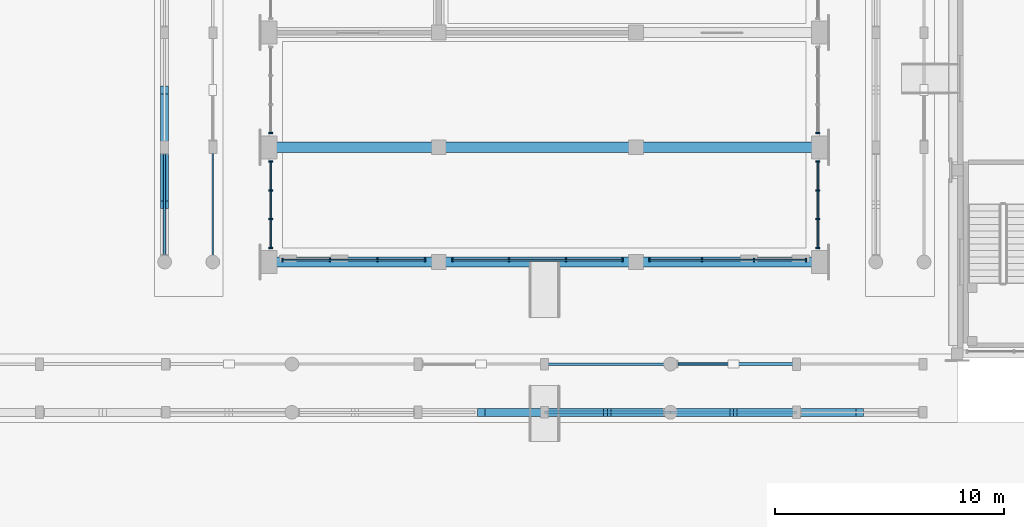
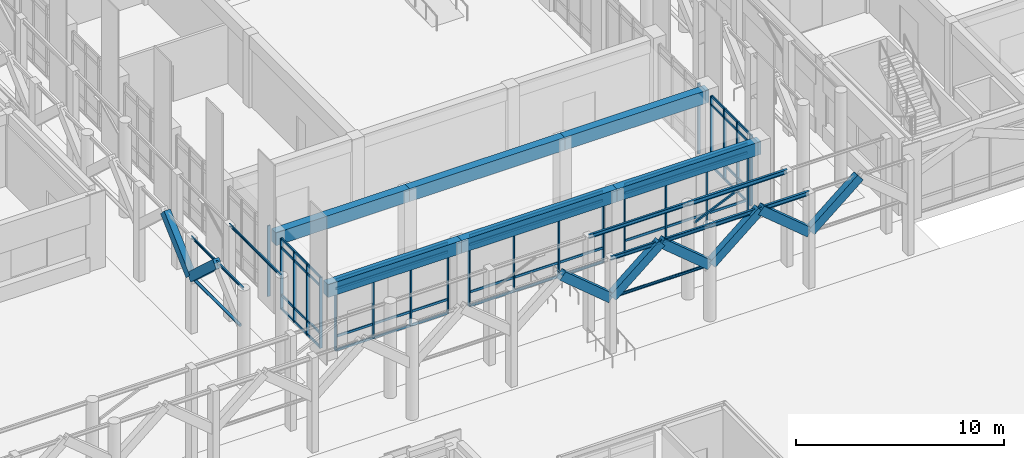
# One storey, part 27 of 135: 45 members, 20 beams, 7 elements without a shape of their own.
"""IFC4 building model written with IfcOpenShell, lengths in metres."""

from ifc_helpers import new_model, si_unit, direction, frame, origin, origin_2d, place, context, subcontext, project, spatial, rectangle, hollow_rectangle, hollow_circle, i_section, extrude, material, material_profile, profile_set, type_object, element, aggregate, save


model = new_model("IFC4")

# Units and contexts
model_context = context("Model", 3, precision=1e-05, world=origin(), true_north=direction((0.0, 1.0)))
body_context = subcontext(model_context, "Body", "Model", "MODEL_VIEW")
ifc_project = project(units=[si_unit("LENGTHUNIT", "METRE"), si_unit("AREAUNIT", "SQUARE_METRE"), si_unit("VOLUMEUNIT", "CUBIC_METRE"), si_unit("PLANEANGLEUNIT", "RADIAN"), si_unit("MASSUNIT", "GRAM", prefix="KILO")], contexts=[model_context])

# Site, building, storey
site_placement = place(None, origin())
site = spatial("IfcSite", under=ifc_project, at=site_placement, CompositionType="ELEMENT")
building_placement = place(site_placement, origin())
building = spatial("IfcBuilding", under=site, at=building_placement, Name="Kiranvali Square Residences", CompositionType="ELEMENT")
storey_placement = place(building_placement, origin())
storey = spatial("IfcBuildingStorey", under=building, at=storey_placement, Name="L00", CompositionType="ELEMENT", Elevation=0.0)

# Beams
ifc_material_1 = material(Name="Concrete M40 (40 MPa)", Category="concrete")
ifc_material_profile_1 = material_profile(ifc_material_1, rectangle(XDim=0.35009765625, YDim=0.5, at=origin_2d()), Name="RC 350x500")
ifc_profile_set_1 = profile_set([ifc_material_profile_1], Name="Concrete M40 (40 MPa)")
beam_type_1 = type_object("IfcBeamType", Name="AR-M40-350x500", PredefinedType="USERDEFINED", material=ifc_profile_set_1)
for number, where, z_axis, x_axis, name in (
    (1, (81.25, 37.449951171875, 5.4599609375), (0.767983039395, 0.0, -0.640470179791), (0.0, 1.0, 0.0), "Classical pointed Ottoman arch rib ARCH-ARC-GDN-S-08.2"),
    (2, (84.0400390625, 37.449951171875, 3.199951171875), (0.767983039395, 0.0, 0.640470179791), (0.0, 1.0, 0.0), "Classical pointed Ottoman arch rib ARCH-ARC-GDN-S-09.1"),
    (3, (86.75, 37.449951171875, 5.4599609375), (0.767983039395, 0.0, -0.640470179791), (0.0, 1.0, 0.0), "Classical pointed Ottoman arch rib ARCH-ARC-GDN-S-09.2"),
    (4, (89.5400390625, 37.449951171875, 3.199951171875), (0.767983039395, 0.0, 0.640470179791), (0.0, 1.0, 0.0), "Classical pointed Ottoman arch rib ARCH-ARC-GDN-S-10.1"),
    (5, (92.25, 37.449951171875, 5.4599609375), (0.767983039395, 0.0, -0.640470179791), (0.0, 1.0, 0.0), "Classical pointed Ottoman arch rib ARCH-ARC-GDN-S-10.2"),
    (6, (95.0400390625, 37.449951171875, 3.199951171875), (0.767983039395, 0.0, 0.640470179791), (0.0, 1.0, 0.0), "Classical pointed Ottoman arch rib ARCH-ARC-GDN-S-11.1"),
):
    element("IfcBeam", number, at=place(storey_placement, frame(where, z_axis=z_axis, x_axis=x_axis)), inside=storey, type_object=beam_type_1, Name=name, ObjectType="ARCH RIB", PredefinedType="USERDEFINED", context=body_context, shape_type="SweptSolid", body=[
        extrude(rectangle(XDim=0.35009765625, YDim=0.5, at=origin_2d()), origin(), (0.0, 0.0, 1.0), 3.528564453125),
    ])
for number, where, z_axis, x_axis, name in (
    (7, (67.449951171875, 46.5, 5.4599609375), (0.0, 0.736401324674, -0.676544964521), (-1.0, 0.0, 0.0), "Classical pointed Ottoman arch rib ARCH-ARC-GDN-W-01.2"),
    (8, (67.449951171875, 49.0400390625, 3.199951171875), (0.0, 0.736401324674, 0.676544964521), (-1.0, 0.0, 0.0), "Classical pointed Ottoman arch rib ARCH-ARC-GDN-W-02.1"),
):
    element("IfcBeam", number, at=place(storey_placement, frame(where, z_axis=z_axis, x_axis=x_axis)), inside=storey, type_object=beam_type_1, Name=name, ObjectType="ARCH RIB", PredefinedType="USERDEFINED", context=body_context, shape_type="SweptSolid", body=[
        extrude(rectangle(XDim=0.35009765625, YDim=0.5, at=origin_2d()), origin(), (0.0, 0.0, 1.0), 3.340576171875),
    ])
ifc_material_2 = material(Name="Concrete M45 (45 MPa)", Category="concrete")
ifc_material_profile_2 = material_profile(ifc_material_2, rectangle(XDim=0.449951171875, YDim=0.75, at=origin_2d()), Name="RC 450x750")
ifc_profile_set_2 = profile_set([ifc_material_profile_2], Name="Concrete M45 (45 MPa)")
beam_type_2 = type_object("IfcBeamType", Name="BM-M45-450x750", PredefinedType="BEAM", material=ifc_profile_set_2)
beam_1_placement = place(storey_placement, frame((72.0, 44.0, 3.875), z_axis=(1.0, 0.0, 0.0), x_axis=(0.0, 1.0, 0.0)))
element("IfcBeam", 9, at=beam_1_placement, inside=storey, type_object=beam_type_2, Name="L00 beam BM-CH-GAL-440-1", PredefinedType="BEAM", context=body_context, shape_type="SweptSolid", body=[
    extrude(rectangle(XDim=0.449951171875, YDim=0.75, at=origin_2d()), origin(), (0.0, 0.0, 1.0), 7.39990234375),
])
beam_2_placement = place(storey_placement, frame((79.39990234375, 44.0, 3.875), z_axis=(1.0, 0.0, 0.0), x_axis=(0.0, 1.0, 0.0)))
element("IfcBeam", 10, at=beam_2_placement, inside=storey, type_object=beam_type_2, Name="L00 beam BM-CH-GAL-440-2", PredefinedType="BEAM", context=body_context, shape_type="SweptSolid", body=[
    extrude(rectangle(XDim=0.449951171875, YDim=0.75, at=origin_2d()), origin(), (0.0, 0.0, 1.0), 8.60009765625),
])
beam_3_placement = place(storey_placement, frame((88.0, 44.0, 3.875), z_axis=(1.0, 0.0, 0.0), x_axis=(0.0, 1.0, 0.0)))
element("IfcBeam", 11, at=beam_3_placement, inside=storey, type_object=beam_type_2, Name="L00 beam BM-CH-GAL-440-3", PredefinedType="BEAM", context=body_context, shape_type="SweptSolid", body=[
    extrude(rectangle(XDim=0.449951171875, YDim=0.75, at=origin_2d()), origin(), (0.0, 0.0, 1.0), 8.0),
])
beam_4_placement = place(storey_placement, frame((72.0, 49.0, 3.875), z_axis=(1.0, 0.0, 0.0), x_axis=(0.0, 1.0, 0.0)))
element("IfcBeam", 12, at=beam_4_placement, inside=storey, type_object=beam_type_2, Name="L00 beam BM-CH-GAL-490-1", PredefinedType="BEAM", context=body_context, shape_type="SweptSolid", body=[
    extrude(rectangle(XDim=0.449951171875, YDim=0.75, at=origin_2d()), origin(), (0.0, 0.0, 1.0), 7.39990234375),
])
beam_5_placement = place(storey_placement, frame((79.39990234375, 49.0, 3.875), z_axis=(1.0, 0.0, 0.0), x_axis=(0.0, 1.0, 0.0)))
element("IfcBeam", 13, at=beam_5_placement, inside=storey, type_object=beam_type_2, Name="L00 beam BM-CH-GAL-490-2", PredefinedType="BEAM", context=body_context, shape_type="SweptSolid", body=[
    extrude(rectangle(XDim=0.449951171875, YDim=0.75, at=origin_2d()), origin(), (0.0, 0.0, 1.0), 8.60009765625),
])
beam_6_placement = place(storey_placement, frame((88.0, 49.0, 3.875), z_axis=(1.0, 0.0, 0.0), x_axis=(0.0, 1.0, 0.0)))
element("IfcBeam", 14, at=beam_6_placement, inside=storey, type_object=beam_type_2, Name="L00 beam BM-CH-GAL-490-3", PredefinedType="BEAM", context=body_context, shape_type="SweptSolid", body=[
    extrude(rectangle(XDim=0.449951171875, YDim=0.75, at=origin_2d()), origin(), (0.0, 0.0, 1.0), 8.0),
])

# Curtain wall, members
ifc_material_3 = material(Name="Anodised bronze aluminium framing", Category="aluminium")
curtain_wall_type = type_object("IfcCurtainWallType", Name="CW-CH-GLZ", PredefinedType="USERDEFINED", material=ifc_material_3)
curtain_wall_1_placement = place(storey_placement, origin())
curtain_wall_1 = element("IfcCurtainWall", 15, at=curtain_wall_1_placement, inside=storey, type_object=curtain_wall_type, Name="Community Hall L00 W glazed arcade bay 1", ObjectType="CURTAIN WALL", PredefinedType="USERDEFINED")
ifc_material_profile_3 = material_profile(ifc_material_3, rectangle(XDim=0.06494140625, YDim=0.159912109375, at=origin_2d()), Name="ALU 65x160")
ifc_profile_set_3 = profile_set([ifc_material_profile_3], Name="Anodised bronze aluminium framing")
member_type_1 = type_object("IfcMemberType", Name="CW-MUL-160", PredefinedType="MULLION", material=ifc_profile_set_3)
member_1_placement = place(storey_placement, frame((72.080078125, 44.6201171875, 0.02001953125), z_axis=(0.0, 0.0, 1.0), x_axis=(0.0, 1.0, 0.0)))
member_1 = element("IfcMember", 16, at=member_1_placement, type_object=member_type_1, Name="CW-CH-L00-W1 vertical mullion 1", PredefinedType="MULLION", context=body_context, shape_type="SweptSolid", body=[
    extrude(rectangle(XDim=0.06494140625, YDim=0.159912109375, at=origin_2d()), origin(), (0.0, 0.0, 1.0), 4.139892578125),
])
member_2_placement = place(storey_placement, frame((72.080078125, 45.873291015625, 0.02001953125), z_axis=(0.0, 0.0, 1.0), x_axis=(0.0, 1.0, 0.0)))
member_2 = element("IfcMember", 17, at=member_2_placement, type_object=member_type_1, Name="CW-CH-L00-W1 vertical mullion 2", PredefinedType="MULLION", context=body_context, shape_type="SweptSolid", body=[
    extrude(rectangle(XDim=0.06494140625, YDim=0.159912109375, at=origin_2d()), origin(), (0.0, 0.0, 1.0), 4.139892578125),
])
member_3_placement = place(storey_placement, frame((72.080078125, 47.126708984375, 0.02001953125), z_axis=(0.0, 0.0, 1.0), x_axis=(0.0, 1.0, 0.0)))
member_3 = element("IfcMember", 18, at=member_3_placement, type_object=member_type_1, Name="CW-CH-L00-W1 vertical mullion 3", PredefinedType="MULLION", context=body_context, shape_type="SweptSolid", body=[
    extrude(rectangle(XDim=0.06494140625, YDim=0.159912109375, at=origin_2d()), origin(), (0.0, 0.0, 1.0), 4.139892578125),
])
member_4_placement = place(storey_placement, frame((72.080078125, 48.3798828125, 0.02001953125), z_axis=(0.0, 0.0, 1.0), x_axis=(0.0, 1.0, 0.0)))
member_4 = element("IfcMember", 19, at=member_4_placement, type_object=member_type_1, Name="CW-CH-L00-W1 vertical mullion 4", PredefinedType="MULLION", context=body_context, shape_type="SweptSolid", body=[
    extrude(rectangle(XDim=0.06494140625, YDim=0.159912109375, at=origin_2d()), origin(), (0.0, 0.0, 1.0), 4.139892578125),
])

curtain_wall_2_placement = place(storey_placement, origin())
curtain_wall_2 = element("IfcCurtainWall", 20, at=curtain_wall_2_placement, inside=storey, type_object=curtain_wall_type, Name="Community Hall L00 E glazed arcade bay 1", ObjectType="CURTAIN WALL", PredefinedType="USERDEFINED")
member_5_placement = place(storey_placement, frame((95.919921875, 44.6201171875, 0.02001953125), z_axis=(0.0, 0.0, 1.0), x_axis=(0.0, 1.0, 0.0)))
member_5 = element("IfcMember", 21, at=member_5_placement, type_object=member_type_1, Name="CW-CH-L00-E1 vertical mullion 1", PredefinedType="MULLION", context=body_context, shape_type="SweptSolid", body=[
    extrude(rectangle(XDim=0.06494140625, YDim=0.159912109375, at=origin_2d()), origin(), (0.0, 0.0, 1.0), 4.139892578125),
])
member_6_placement = place(storey_placement, frame((95.919921875, 45.873291015625, 0.02001953125), z_axis=(0.0, 0.0, 1.0), x_axis=(0.0, 1.0, 0.0)))
member_6 = element("IfcMember", 22, at=member_6_placement, type_object=member_type_1, Name="CW-CH-L00-E1 vertical mullion 2", PredefinedType="MULLION", context=body_context, shape_type="SweptSolid", body=[
    extrude(rectangle(XDim=0.06494140625, YDim=0.159912109375, at=origin_2d()), origin(), (0.0, 0.0, 1.0), 4.139892578125),
])
member_7_placement = place(storey_placement, frame((95.919921875, 47.126708984375, 0.02001953125), z_axis=(0.0, 0.0, 1.0), x_axis=(0.0, 1.0, 0.0)))
member_7 = element("IfcMember", 23, at=member_7_placement, type_object=member_type_1, Name="CW-CH-L00-E1 vertical mullion 3", PredefinedType="MULLION", context=body_context, shape_type="SweptSolid", body=[
    extrude(rectangle(XDim=0.06494140625, YDim=0.159912109375, at=origin_2d()), origin(), (0.0, 0.0, 1.0), 4.139892578125),
])
member_8_placement = place(storey_placement, frame((95.919921875, 48.3798828125, 0.02001953125), z_axis=(0.0, 0.0, 1.0), x_axis=(0.0, 1.0, 0.0)))
member_8 = element("IfcMember", 24, at=member_8_placement, type_object=member_type_1, Name="CW-CH-L00-E1 vertical mullion 4", PredefinedType="MULLION", context=body_context, shape_type="SweptSolid", body=[
    extrude(rectangle(XDim=0.06494140625, YDim=0.159912109375, at=origin_2d()), origin(), (0.0, 0.0, 1.0), 4.139892578125),
])

# Curtain wall, member
curtain_wall_3_placement = place(storey_placement, origin())
curtain_wall_3 = element("IfcCurtainWall", 25, at=curtain_wall_3_placement, inside=storey, type_object=curtain_wall_type, Name="Community Hall L00 W glazed arcade bay 2", ObjectType="CURTAIN WALL", PredefinedType="USERDEFINED")
member_9_placement = place(storey_placement, frame((72.080078125, 49.6201171875, 0.02001953125), z_axis=(0.0, 0.0, 1.0), x_axis=(0.0, 1.0, 0.0)))
member_9 = element("IfcMember", 26, at=member_9_placement, type_object=member_type_1, Name="CW-CH-L00-W2 vertical mullion 1", PredefinedType="MULLION", context=body_context, shape_type="SweptSolid", body=[
    extrude(rectangle(XDim=0.06494140625, YDim=0.159912109375, at=origin_2d()), origin(), (0.0, 0.0, 1.0), 4.139892578125),
])
aggregate(curtain_wall_3, [member_9])

curtain_wall_4_placement = place(storey_placement, origin())
curtain_wall_4 = element("IfcCurtainWall", 27, at=curtain_wall_4_placement, inside=storey, type_object=curtain_wall_type, Name="Community Hall L00 E glazed arcade bay 2", ObjectType="CURTAIN WALL", PredefinedType="USERDEFINED")
member_10_placement = place(storey_placement, frame((95.919921875, 49.6201171875, 0.02001953125), z_axis=(0.0, 0.0, 1.0), x_axis=(0.0, 1.0, 0.0)))
member_10 = element("IfcMember", 28, at=member_10_placement, type_object=member_type_1, Name="CW-CH-L00-E2 vertical mullion 1", PredefinedType="MULLION", context=body_context, shape_type="SweptSolid", body=[
    extrude(rectangle(XDim=0.06494140625, YDim=0.159912109375, at=origin_2d()), origin(), (0.0, 0.0, 1.0), 4.139892578125),
])
aggregate(curtain_wall_4, [member_10])

# Curtain wall, members
curtain_wall_5_placement = place(storey_placement, origin())
curtain_wall_5 = element("IfcCurtainWall", 29, at=curtain_wall_5_placement, inside=storey, type_object=curtain_wall_type, Name="Community Hall S entrance portal bay 1", ObjectType="CURTAIN WALL", PredefinedType="USERDEFINED")
member_11_placement = place(storey_placement, frame((72.590087890625, 44.080078125, 0.02001953125), z_axis=(0.0, 0.0, 1.0), x_axis=(1.0, 0.0, 0.0)))
member_11 = element("IfcMember", 30, at=member_11_placement, type_object=member_type_1, Name="CW-CH-GAB-S0-1 vertical mullion 1", PredefinedType="MULLION", context=body_context, shape_type="SweptSolid", body=[
    extrude(rectangle(XDim=0.06494140625, YDim=0.159912109375, at=origin_2d()), origin(), (0.0, 0.0, 1.0), 4.139892578125),
])
member_12_placement = place(storey_placement, frame((74.663330078125, 44.080078125, 0.02001953125), z_axis=(0.0, 0.0, 1.0), x_axis=(1.0, 0.0, 0.0)))
member_12 = element("IfcMember", 31, at=member_12_placement, type_object=member_type_1, Name="CW-CH-GAB-S0-1 vertical mullion 2", PredefinedType="MULLION", context=body_context, shape_type="SweptSolid", body=[
    extrude(rectangle(XDim=0.06494140625, YDim=0.159912109375, at=origin_2d()), origin(), (0.0, 0.0, 1.0), 4.139892578125),
])
member_13_placement = place(storey_placement, frame((76.736572265625, 44.080078125, 0.02001953125), z_axis=(0.0, 0.0, 1.0), x_axis=(1.0, 0.0, 0.0)))
member_13 = element("IfcMember", 32, at=member_13_placement, type_object=member_type_1, Name="CW-CH-GAB-S0-1 vertical mullion 3", PredefinedType="MULLION", context=body_context, shape_type="SweptSolid", body=[
    extrude(rectangle(XDim=0.06494140625, YDim=0.159912109375, at=origin_2d()), origin(), (0.0, 0.0, 1.0), 4.139892578125),
])
member_14_placement = place(storey_placement, frame((78.81005859375, 44.080078125, 0.02001953125), z_axis=(0.0, 0.0, 1.0), x_axis=(1.0, 0.0, 0.0)))
member_14 = element("IfcMember", 33, at=member_14_placement, type_object=member_type_1, Name="CW-CH-GAB-S0-1 vertical mullion 4", PredefinedType="MULLION", context=body_context, shape_type="SweptSolid", body=[
    extrude(rectangle(XDim=0.06494140625, YDim=0.159912109375, at=origin_2d()), origin(), (0.0, 0.0, 1.0), 4.139892578125),
])

curtain_wall_6_placement = place(storey_placement, origin())
curtain_wall_6 = element("IfcCurtainWall", 34, at=curtain_wall_6_placement, inside=storey, type_object=curtain_wall_type, Name="Community Hall S entrance portal bay 2", ObjectType="CURTAIN WALL", PredefinedType="USERDEFINED")
member_15_placement = place(storey_placement, frame((79.989990234375, 44.080078125, 0.02001953125), z_axis=(0.0, 0.0, 1.0), x_axis=(1.0, 0.0, 0.0)))
member_15 = element("IfcMember", 35, at=member_15_placement, type_object=member_type_1, Name="CW-CH-GAB-S0-2 vertical mullion 1", PredefinedType="MULLION", context=body_context, shape_type="SweptSolid", body=[
    extrude(rectangle(XDim=0.06494140625, YDim=0.159912109375, at=origin_2d()), origin(), (0.0, 0.0, 1.0), 4.139892578125),
])
member_16_placement = place(storey_placement, frame((82.46337890625, 44.080078125, 0.02001953125), z_axis=(0.0, 0.0, 1.0), x_axis=(1.0, 0.0, 0.0)))
member_16 = element("IfcMember", 36, at=member_16_placement, type_object=member_type_1, Name="CW-CH-GAB-S0-2 vertical mullion 2", PredefinedType="MULLION", context=body_context, shape_type="SweptSolid", body=[
    extrude(rectangle(XDim=0.06494140625, YDim=0.159912109375, at=origin_2d()), origin(), (0.0, 0.0, 1.0), 4.139892578125),
])
member_17_placement = place(storey_placement, frame((84.936767578125, 44.080078125, 0.02001953125), z_axis=(0.0, 0.0, 1.0), x_axis=(1.0, 0.0, 0.0)))
member_17 = element("IfcMember", 37, at=member_17_placement, type_object=member_type_1, Name="CW-CH-GAB-S0-2 vertical mullion 3", PredefinedType="MULLION", context=body_context, shape_type="SweptSolid", body=[
    extrude(rectangle(XDim=0.06494140625, YDim=0.159912109375, at=origin_2d()), origin(), (0.0, 0.0, 1.0), 4.139892578125),
])
member_18_placement = place(storey_placement, frame((87.409912109375, 44.080078125, 0.02001953125), z_axis=(0.0, 0.0, 1.0), x_axis=(1.0, 0.0, 0.0)))
member_18 = element("IfcMember", 38, at=member_18_placement, type_object=member_type_1, Name="CW-CH-GAB-S0-2 vertical mullion 4", PredefinedType="MULLION", context=body_context, shape_type="SweptSolid", body=[
    extrude(rectangle(XDim=0.06494140625, YDim=0.159912109375, at=origin_2d()), origin(), (0.0, 0.0, 1.0), 4.139892578125),
])

curtain_wall_7_placement = place(storey_placement, origin())
curtain_wall_7 = element("IfcCurtainWall", 39, at=curtain_wall_7_placement, inside=storey, type_object=curtain_wall_type, Name="Community Hall S entrance portal bay 3", ObjectType="CURTAIN WALL", PredefinedType="USERDEFINED")
member_19_placement = place(storey_placement, frame((88.590087890625, 44.080078125, 0.02001953125), z_axis=(0.0, 0.0, 1.0), x_axis=(1.0, 0.0, 0.0)))
member_19 = element("IfcMember", 40, at=member_19_placement, type_object=member_type_1, Name="CW-CH-GAB-S0-3 vertical mullion 1", PredefinedType="MULLION", context=body_context, shape_type="SweptSolid", body=[
    extrude(rectangle(XDim=0.06494140625, YDim=0.159912109375, at=origin_2d()), origin(), (0.0, 0.0, 1.0), 4.139892578125),
])
member_20_placement = place(storey_placement, frame((90.86328125, 44.080078125, 0.02001953125), z_axis=(0.0, 0.0, 1.0), x_axis=(1.0, 0.0, 0.0)))
member_20 = element("IfcMember", 41, at=member_20_placement, type_object=member_type_1, Name="CW-CH-GAB-S0-3 vertical mullion 2", PredefinedType="MULLION", context=body_context, shape_type="SweptSolid", body=[
    extrude(rectangle(XDim=0.06494140625, YDim=0.159912109375, at=origin_2d()), origin(), (0.0, 0.0, 1.0), 4.139892578125),
])
member_21_placement = place(storey_placement, frame((93.13671875, 44.080078125, 0.02001953125), z_axis=(0.0, 0.0, 1.0), x_axis=(1.0, 0.0, 0.0)))
member_21 = element("IfcMember", 42, at=member_21_placement, type_object=member_type_1, Name="CW-CH-GAB-S0-3 vertical mullion 3", PredefinedType="MULLION", context=body_context, shape_type="SweptSolid", body=[
    extrude(rectangle(XDim=0.06494140625, YDim=0.159912109375, at=origin_2d()), origin(), (0.0, 0.0, 1.0), 4.139892578125),
])
member_22_placement = place(storey_placement, frame((95.409912109375, 44.080078125, 0.02001953125), z_axis=(0.0, 0.0, 1.0), x_axis=(1.0, 0.0, 0.0)))
member_22 = element("IfcMember", 43, at=member_22_placement, type_object=member_type_1, Name="CW-CH-GAB-S0-3 vertical mullion 4", PredefinedType="MULLION", context=body_context, shape_type="SweptSolid", body=[
    extrude(rectangle(XDim=0.06494140625, YDim=0.159912109375, at=origin_2d()), origin(), (0.0, 0.0, 1.0), 4.139892578125),
])

# Member
ifc_material_profile_4 = material_profile(ifc_material_3, rectangle(XDim=0.06494140625, YDim=0.139892578125, at=origin_2d()), Name="ALU 65x140")
ifc_profile_set_4 = profile_set([ifc_material_profile_4], Name="Anodised bronze aluminium framing")
member_type_2 = type_object("IfcMemberType", Name="CW-TRN-140", PredefinedType="MULLION", material=ifc_profile_set_4)
member_23_placement = place(storey_placement, frame((72.080078125, 44.6298828125, 0.0400390625), z_axis=(0.0, 1.0, 0.0), x_axis=(-1.0, 0.0, 0.0)))
member_23 = element("IfcMember", 44, at=member_23_placement, type_object=member_type_2, Name="CW-CH-L00-W1 horizontal transom 1", PredefinedType="MULLION", context=body_context, shape_type="SweptSolid", body=[
    extrude(rectangle(XDim=0.06494140625, YDim=0.139892578125, at=origin_2d()), origin(), (0.0, 0.0, 1.0), 3.740234375),
])

member_24_placement = place(storey_placement, frame((72.080078125, 44.6298828125, 0.85009765625), z_axis=(0.0, 1.0, 0.0), x_axis=(-1.0, 0.0, 0.0)))
member_24 = element("IfcMember", 45, at=member_24_placement, type_object=member_type_2, Name="CW-CH-L00-W1 horizontal transom 2", PredefinedType="MULLION", context=body_context, shape_type="SweptSolid", body=[
    extrude(rectangle(XDim=0.06494140625, YDim=0.139892578125, at=origin_2d()), origin(), (0.0, 0.0, 1.0), 3.740234375),
])

member_25_placement = place(storey_placement, frame((72.080078125, 44.6298828125, 3.6298828125), z_axis=(0.0, 1.0, 0.0), x_axis=(-1.0, 0.0, 0.0)))
member_25 = element("IfcMember", 46, at=member_25_placement, type_object=member_type_2, Name="CW-CH-L00-W1 horizontal transom 3", PredefinedType="MULLION", context=body_context, shape_type="SweptSolid", body=[
    extrude(rectangle(XDim=0.06494140625, YDim=0.139892578125, at=origin_2d()), origin(), (0.0, 0.0, 1.0), 3.740234375),
])

member_26_placement = place(storey_placement, frame((72.080078125, 44.6298828125, 4.139892578125), z_axis=(0.0, 1.0, 0.0), x_axis=(-1.0, 0.0, 0.0)))
member_26 = element("IfcMember", 47, at=member_26_placement, type_object=member_type_2, Name="CW-CH-L00-W1 horizontal transom 4", PredefinedType="MULLION", context=body_context, shape_type="SweptSolid", body=[
    extrude(rectangle(XDim=0.06494140625, YDim=0.139892578125, at=origin_2d()), origin(), (0.0, 0.0, 1.0), 3.740234375),
])

aggregate(curtain_wall_1, [member_1, member_2, member_3, member_4, member_23, member_24, member_25, member_26])

member_27_placement = place(storey_placement, frame((95.919921875, 44.6298828125, 0.0400390625), z_axis=(0.0, 1.0, 0.0), x_axis=(-1.0, 0.0, 0.0)))
member_27 = element("IfcMember", 48, at=member_27_placement, type_object=member_type_2, Name="CW-CH-L00-E1 horizontal transom 1", PredefinedType="MULLION", context=body_context, shape_type="SweptSolid", body=[
    extrude(rectangle(XDim=0.06494140625, YDim=0.139892578125, at=origin_2d()), origin(), (0.0, 0.0, 1.0), 3.740234375),
])

member_28_placement = place(storey_placement, frame((95.919921875, 44.6298828125, 0.85009765625), z_axis=(0.0, 1.0, 0.0), x_axis=(-1.0, 0.0, 0.0)))
member_28 = element("IfcMember", 49, at=member_28_placement, type_object=member_type_2, Name="CW-CH-L00-E1 horizontal transom 2", PredefinedType="MULLION", context=body_context, shape_type="SweptSolid", body=[
    extrude(rectangle(XDim=0.06494140625, YDim=0.139892578125, at=origin_2d()), origin(), (0.0, 0.0, 1.0), 3.740234375),
])

member_29_placement = place(storey_placement, frame((95.919921875, 44.6298828125, 3.6298828125), z_axis=(0.0, 1.0, 0.0), x_axis=(-1.0, 0.0, 0.0)))
member_29 = element("IfcMember", 50, at=member_29_placement, type_object=member_type_2, Name="CW-CH-L00-E1 horizontal transom 3", PredefinedType="MULLION", context=body_context, shape_type="SweptSolid", body=[
    extrude(rectangle(XDim=0.06494140625, YDim=0.139892578125, at=origin_2d()), origin(), (0.0, 0.0, 1.0), 3.740234375),
])

member_30_placement = place(storey_placement, frame((95.919921875, 44.6298828125, 4.139892578125), z_axis=(0.0, 1.0, 0.0), x_axis=(-1.0, 0.0, 0.0)))
member_30 = element("IfcMember", 51, at=member_30_placement, type_object=member_type_2, Name="CW-CH-L00-E1 horizontal transom 4", PredefinedType="MULLION", context=body_context, shape_type="SweptSolid", body=[
    extrude(rectangle(XDim=0.06494140625, YDim=0.139892578125, at=origin_2d()), origin(), (0.0, 0.0, 1.0), 3.740234375),
])

aggregate(curtain_wall_2, [member_5, member_6, member_7, member_8, member_27, member_28, member_29, member_30])

member_31_placement = place(storey_placement, frame((72.60009765625, 44.080078125, 0.0400390625), z_axis=(1.0, 0.0, 0.0), x_axis=(0.0, 1.0, 0.0)))
member_31 = element("IfcMember", 52, at=member_31_placement, type_object=member_type_2, Name="CW-CH-GAB-S0-1 horizontal transom 1", PredefinedType="MULLION", context=body_context, shape_type="SweptSolid", body=[
    extrude(rectangle(XDim=0.06494140625, YDim=0.139892578125, at=origin_2d()), origin(), (0.0, 0.0, 1.0), 6.199951171875),
])

member_32_placement = place(storey_placement, frame((72.60009765625, 44.080078125, 0.85009765625), z_axis=(1.0, 0.0, 0.0), x_axis=(0.0, 1.0, 0.0)))
member_32 = element("IfcMember", 53, at=member_32_placement, type_object=member_type_2, Name="CW-CH-GAB-S0-1 horizontal transom 2", PredefinedType="MULLION", context=body_context, shape_type="SweptSolid", body=[
    extrude(rectangle(XDim=0.06494140625, YDim=0.139892578125, at=origin_2d()), origin(), (0.0, 0.0, 1.0), 6.199951171875),
])

member_33_placement = place(storey_placement, frame((72.60009765625, 44.080078125, 3.6298828125), z_axis=(1.0, 0.0, 0.0), x_axis=(0.0, 1.0, 0.0)))
member_33 = element("IfcMember", 54, at=member_33_placement, type_object=member_type_2, Name="CW-CH-GAB-S0-1 horizontal transom 3", PredefinedType="MULLION", context=body_context, shape_type="SweptSolid", body=[
    extrude(rectangle(XDim=0.06494140625, YDim=0.139892578125, at=origin_2d()), origin(), (0.0, 0.0, 1.0), 6.199951171875),
])

member_34_placement = place(storey_placement, frame((72.60009765625, 44.080078125, 4.139892578125), z_axis=(1.0, 0.0, 0.0), x_axis=(0.0, 1.0, 0.0)))
member_34 = element("IfcMember", 55, at=member_34_placement, type_object=member_type_2, Name="CW-CH-GAB-S0-1 horizontal transom 4", PredefinedType="MULLION", context=body_context, shape_type="SweptSolid", body=[
    extrude(rectangle(XDim=0.06494140625, YDim=0.139892578125, at=origin_2d()), origin(), (0.0, 0.0, 1.0), 6.199951171875),
])

aggregate(curtain_wall_5, [member_11, member_12, member_13, member_14, member_31, member_32, member_33, member_34])

member_35_placement = place(storey_placement, frame((80.0, 44.080078125, 0.0400390625), z_axis=(1.0, 0.0, 0.0), x_axis=(0.0, 1.0, 0.0)))
member_35 = element("IfcMember", 56, at=member_35_placement, type_object=member_type_2, Name="CW-CH-GAB-S0-2 horizontal transom 1", PredefinedType="MULLION", context=body_context, shape_type="SweptSolid", body=[
    extrude(rectangle(XDim=0.06494140625, YDim=0.139892578125, at=origin_2d()), origin(), (0.0, 0.0, 1.0), 7.39990234375),
])

member_36_placement = place(storey_placement, frame((80.0, 44.080078125, 0.85009765625), z_axis=(1.0, 0.0, 0.0), x_axis=(0.0, 1.0, 0.0)))
member_36 = element("IfcMember", 57, at=member_36_placement, type_object=member_type_2, Name="CW-CH-GAB-S0-2 horizontal transom 2", PredefinedType="MULLION", context=body_context, shape_type="SweptSolid", body=[
    extrude(rectangle(XDim=0.06494140625, YDim=0.139892578125, at=origin_2d()), origin(), (0.0, 0.0, 1.0), 7.39990234375),
])

member_37_placement = place(storey_placement, frame((80.0, 44.080078125, 3.6298828125), z_axis=(1.0, 0.0, 0.0), x_axis=(0.0, 1.0, 0.0)))
member_37 = element("IfcMember", 58, at=member_37_placement, type_object=member_type_2, Name="CW-CH-GAB-S0-2 horizontal transom 3", PredefinedType="MULLION", context=body_context, shape_type="SweptSolid", body=[
    extrude(rectangle(XDim=0.06494140625, YDim=0.139892578125, at=origin_2d()), origin(), (0.0, 0.0, 1.0), 7.39990234375),
])

member_38_placement = place(storey_placement, frame((80.0, 44.080078125, 4.139892578125), z_axis=(1.0, 0.0, 0.0), x_axis=(0.0, 1.0, 0.0)))
member_38 = element("IfcMember", 59, at=member_38_placement, type_object=member_type_2, Name="CW-CH-GAB-S0-2 horizontal transom 4", PredefinedType="MULLION", context=body_context, shape_type="SweptSolid", body=[
    extrude(rectangle(XDim=0.06494140625, YDim=0.139892578125, at=origin_2d()), origin(), (0.0, 0.0, 1.0), 7.39990234375),
])

aggregate(curtain_wall_6, [member_15, member_16, member_17, member_18, member_35, member_36, member_37, member_38])

member_39_placement = place(storey_placement, frame((88.60009765625, 44.080078125, 0.0400390625), z_axis=(1.0, 0.0, 0.0), x_axis=(0.0, 1.0, 0.0)))
member_39 = element("IfcMember", 60, at=member_39_placement, type_object=member_type_2, Name="CW-CH-GAB-S0-3 horizontal transom 1", PredefinedType="MULLION", context=body_context, shape_type="SweptSolid", body=[
    extrude(rectangle(XDim=0.06494140625, YDim=0.139892578125, at=origin_2d()), origin(), (0.0, 0.0, 1.0), 6.7998046875),
])

member_40_placement = place(storey_placement, frame((88.60009765625, 44.080078125, 0.85009765625), z_axis=(1.0, 0.0, 0.0), x_axis=(0.0, 1.0, 0.0)))
member_40 = element("IfcMember", 61, at=member_40_placement, type_object=member_type_2, Name="CW-CH-GAB-S0-3 horizontal transom 2", PredefinedType="MULLION", context=body_context, shape_type="SweptSolid", body=[
    extrude(rectangle(XDim=0.06494140625, YDim=0.139892578125, at=origin_2d()), origin(), (0.0, 0.0, 1.0), 6.7998046875),
])

member_41_placement = place(storey_placement, frame((88.60009765625, 44.080078125, 3.6298828125), z_axis=(1.0, 0.0, 0.0), x_axis=(0.0, 1.0, 0.0)))
member_41 = element("IfcMember", 62, at=member_41_placement, type_object=member_type_2, Name="CW-CH-GAB-S0-3 horizontal transom 3", PredefinedType="MULLION", context=body_context, shape_type="SweptSolid", body=[
    extrude(rectangle(XDim=0.06494140625, YDim=0.139892578125, at=origin_2d()), origin(), (0.0, 0.0, 1.0), 6.7998046875),
])

member_42_placement = place(storey_placement, frame((88.60009765625, 44.080078125, 4.139892578125), z_axis=(1.0, 0.0, 0.0), x_axis=(0.0, 1.0, 0.0)))
member_42 = element("IfcMember", 63, at=member_42_placement, type_object=member_type_2, Name="CW-CH-GAB-S0-3 horizontal transom 4", PredefinedType="MULLION", context=body_context, shape_type="SweptSolid", body=[
    extrude(rectangle(XDim=0.06494140625, YDim=0.139892578125, at=origin_2d()), origin(), (0.0, 0.0, 1.0), 6.7998046875),
])

aggregate(curtain_wall_7, [member_19, member_20, member_21, member_22, member_39, member_40, member_41, member_42])

# Members
ifc_material_4 = material(Name="Structural steel E350", Category="steel")
ifc_material_profile_5 = material_profile(ifc_material_4, hollow_circle(Radius=0.08251953125, WallThickness=0.00537109375, at=origin_2d()), Name="CHS 165.1x5.4")
ifc_profile_set_5 = profile_set([ifc_material_profile_5], Name="Structural steel E350")
member_type_3 = type_object("IfcMemberType", Name="MEM-CHS165", PredefinedType="USERDEFINED", material=ifc_profile_set_5)
member_43_placement = place(storey_placement, frame((84.198974609375, 37.449951171875, 3.14990234375), z_axis=(1.0, 0.0, 0.0), x_axis=(0.0, 1.0, 0.0)))
element("IfcMember", 64, at=member_43_placement, inside=storey, type_object=member_type_3, Name="Ottoman arch springing tie rod ARC-GDN-S-9", ObjectType="TIE ROD", PredefinedType="USERDEFINED", context=body_context, shape_type="SweptSolid", body=[
    extrude(hollow_circle(Radius=0.08251953125, WallThickness=0.00537109375, at=origin_2d()), origin(), (0.0, 0.0, 1.0), 4.97705078125),
])
member_44_placement = place(storey_placement, frame((67.449951171875, 44.323974609375, 3.14990234375), z_axis=(0.0, 1.0, 0.0), x_axis=(-1.0, 0.0, 0.0)))
element("IfcMember", 65, at=member_44_placement, inside=storey, type_object=member_type_3, Name="Ottoman arch springing tie rod ARC-GDN-W-1", ObjectType="TIE ROD", PredefinedType="USERDEFINED", context=body_context, shape_type="SweptSolid", body=[
    extrude(hollow_circle(Radius=0.08251953125, WallThickness=0.00537109375, at=origin_2d()), origin(), (0.0, 0.0, 1.0), 4.376953125),
])
ifc_material_profile_6 = material_profile(ifc_material_4, hollow_rectangle(XDim=0.091552734375, YDim=0.091552734375, WallThickness=0.00439453125, at=origin_2d()), Name="SHS 91.5x91.5x4.5")
ifc_profile_set_6 = profile_set([ifc_material_profile_6], Name="Structural steel E350")
member_type_4 = type_object("IfcMemberType", Name="MEM-SHS91", PredefinedType="BRACE", material=ifc_profile_set_6)
member_45_placement = place(storey_placement, frame((89.8359375, 39.550048828125, 4.199951171875), z_axis=(0.913662883488, 0.0, 0.406472797782), x_axis=(0.0, 1.0, 0.0)))
element("IfcMember", 66, at=member_45_placement, inside=storey, type_object=member_type_4, Name="Colonnade steel knee brace ARC-GDN-S-10", PredefinedType="BRACE", context=body_context, shape_type="SweptSolid", body=[
    extrude(hollow_rectangle(XDim=0.091552734375, YDim=0.091552734375, WallThickness=0.00439453125, at=origin_2d()), origin(), (0.0, 0.0, 1.0), 2.64208984375),
])

# Beams
ifc_material_profile_7 = material_profile(ifc_material_4, i_section(OverallWidth=0.074951171875, OverallDepth=0.14990234375, WebThickness=0.0048828125, FlangeThickness=0.008056640625, at=origin_2d()), Name="ISMB 150")
ifc_profile_set_7 = profile_set([ifc_material_profile_7], Name="Structural steel E350")
beam_type_3 = type_object("IfcBeamType", Name="SBM-ISMB150", PredefinedType="JOIST", material=ifc_profile_set_7)
for number, where, z_axis, x_axis, name in (
    (67, (67.449951171875, 44.0, 5.485107421875), (0.0, 1.0, 0.0), (-1.0, 0.0, 0.0), "Colonnade entablature steel beam ARC-GDN-W-1"),
    (68, (69.550048828125, 44.0, 5.485107421875), (0.0, 1.0, 0.0), (-1.0, 0.0, 0.0), "Colonnade inner entablature steel beam ARC-GDN-W-1B"),
):
    element("IfcBeam", number, at=place(storey_placement, frame(where, z_axis=z_axis, x_axis=x_axis)), inside=storey, type_object=beam_type_3, Name=name, PredefinedType="JOIST", context=body_context, shape_type="SweptSolid", body=[
        extrude(i_section(OverallWidth=0.074951171875, OverallDepth=0.14990234375, WebThickness=0.0048828125, FlangeThickness=0.008056640625, at=origin_2d()), origin(), (0.0, 0.0, 1.0), 5.0),
    ])
ifc_material_profile_8 = material_profile(ifc_material_4, i_section(OverallWidth=0.110107421875, OverallDepth=0.22509765625, WebThickness=0.006591796875, FlangeThickness=0.01171875, at=origin_2d()), Name="ISMB 225")
ifc_profile_set_8 = profile_set([ifc_material_profile_8], Name="Structural steel E350")
beam_type_4 = type_object("IfcBeamType", Name="SBM-ISMB225", PredefinedType="JOIST", material=ifc_profile_set_8)
for number, where, z_axis, x_axis, name in (
    (69, (84.0, 37.449951171875, 5.447509765625), (1.0, 0.0, 0.0), (0.0, 1.0, 0.0), "Colonnade entablature steel beam ARC-GDN-S-9"),
    (70, (84.0, 39.550048828125, 5.447509765625), (1.0, 0.0, 0.0), (0.0, 1.0, 0.0), "Colonnade inner entablature steel beam ARC-GDN-S-9B"),
):
    element("IfcBeam", number, at=place(storey_placement, frame(where, z_axis=z_axis, x_axis=x_axis)), inside=storey, type_object=beam_type_4, Name=name, PredefinedType="JOIST", context=body_context, shape_type="SweptSolid", body=[
        extrude(i_section(OverallWidth=0.110107421875, OverallDepth=0.22509765625, WebThickness=0.006591796875, FlangeThickness=0.01171875, at=origin_2d()), origin(), (0.0, 0.0, 1.0), 5.5),
    ])
ifc_material_profile_9 = material_profile(ifc_material_4, i_section(OverallWidth=0.125, OverallDepth=0.25, WebThickness=0.0068359375, FlangeThickness=0.012451171875, at=origin_2d()), Name="ISMB 250")
ifc_profile_set_9 = profile_set([ifc_material_profile_9], Name="Structural steel E350")
beam_type_5 = type_object("IfcBeamType", Name="SBM-ISMB250", PredefinedType="JOIST", material=ifc_profile_set_9)
for number, where, z_axis, x_axis, name in (
    (71, (89.5, 37.449951171875, 5.43505859375), (1.0, 0.0, 0.0), (0.0, 1.0, 0.0), "Colonnade entablature steel beam ARC-GDN-S-10"),
    (72, (89.5, 39.550048828125, 5.43505859375), (1.0, 0.0, 0.0), (0.0, 1.0, 0.0), "Colonnade inner entablature steel beam ARC-GDN-S-10B"),
):
    element("IfcBeam", number, at=place(storey_placement, frame(where, z_axis=z_axis, x_axis=x_axis)), inside=storey, type_object=beam_type_5, Name=name, PredefinedType="JOIST", context=body_context, shape_type="SweptSolid", body=[
        extrude(i_section(OverallWidth=0.125, OverallDepth=0.25, WebThickness=0.0068359375, FlangeThickness=0.012451171875, at=origin_2d()), origin(), (0.0, 0.0, 1.0), 5.5),
    ])

save(model, "model.ifc")
